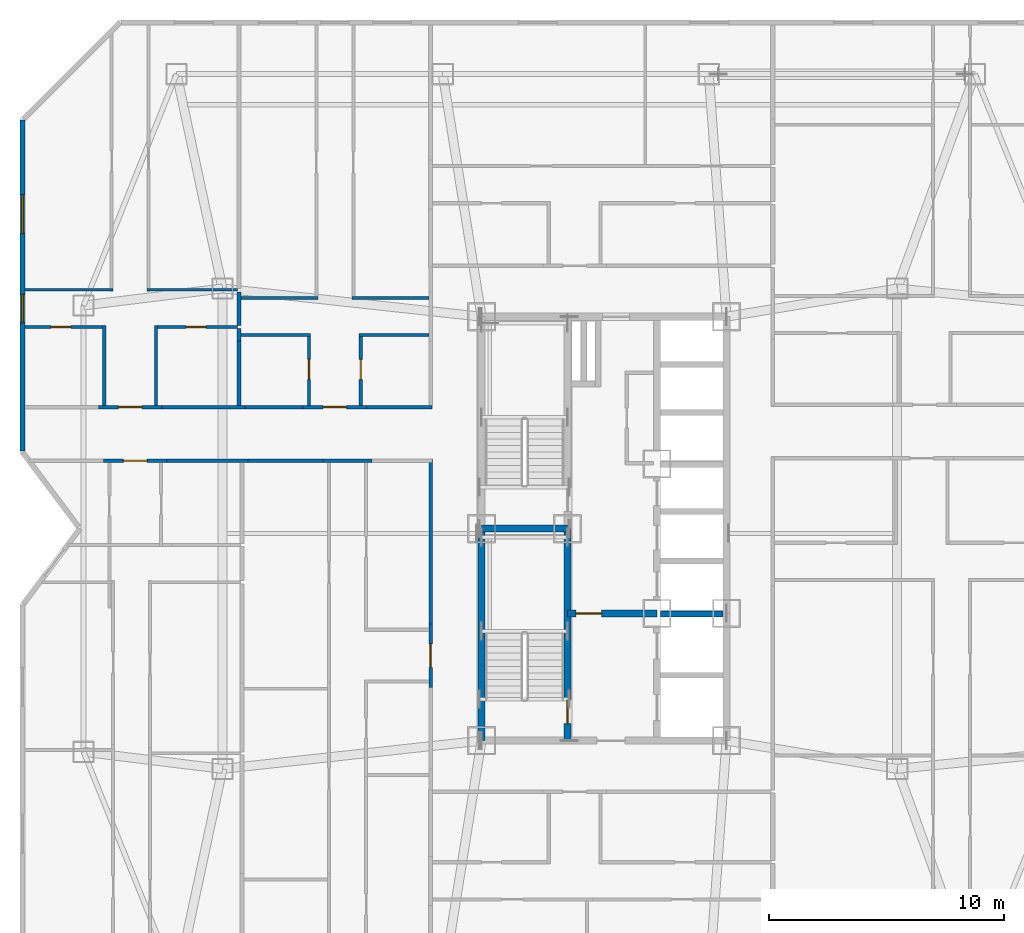
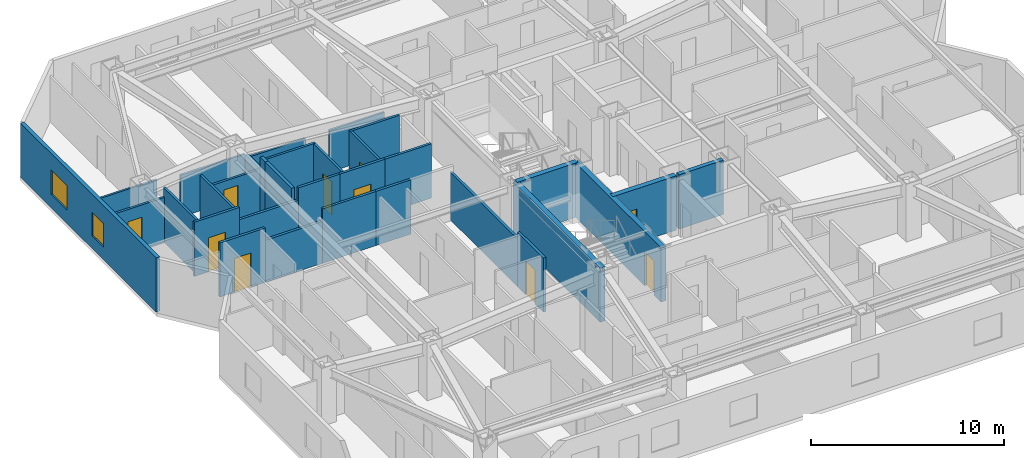
# One storey, part 7 of 12: 32 walls, 10 doors, 2 windows, 12 openings.
"""IFC4 building model written with IfcOpenShell, lengths in metres."""

from ifc_helpers import new_model, si_unit, direction, frame, frame_2d, origin, place, context, subcontext, project, spatial, rectangle, extrude, material, layer, layer_set, type_object, element, fill, save


model = new_model("IFC4")

# Units and contexts
model_context = context("Model", 3, precision=1e-05, world=origin(), true_north=direction((0.0, 1.0)))
body_context = subcontext(model_context, "Body", "Model", "MODEL_VIEW")
ifc_project = project(units=[si_unit("LENGTHUNIT", "METRE"), si_unit("AREAUNIT", "SQUARE_METRE"), si_unit("VOLUMEUNIT", "CUBIC_METRE"), si_unit("PLANEANGLEUNIT", "RADIAN"), si_unit("MASSUNIT", "GRAM", prefix="KILO")], contexts=[model_context])

# Site, building, storey
site_placement = place(None, origin())
site = spatial("IfcSite", under=ifc_project, at=site_placement, CompositionType="ELEMENT")
building_placement = place(site_placement, origin())
building = spatial("IfcBuilding", under=site, at=building_placement, Name="Khamvora Tower", CompositionType="ELEMENT")
storey_placement = place(building_placement, frame((0.0, 0.0, 138.39990234375)))
storey = spatial("IfcBuildingStorey", under=building, at=storey_placement, Name="L35", CompositionType="ELEMENT", Elevation=138.39990234375)

# Wall
ifc_material_1 = material(Name="Concrete C50/60", Category="concrete")
ifc_layer_1 = layer(ifc_material_1, 0.300048828125)
ifc_layer_set_1 = layer_set([ifc_layer_1], Name="Concrete C50/60")
wall_type_1 = type_object("IfcWallType", Name="WAL-CORE-300", PredefinedType="SHEAR", material=ifc_layer_set_1)
wall_1_placement = place(storey_placement, frame((29.0, 19.0, 0.0), z_axis=(0.0, 0.0, 1.0), x_axis=(0.0, 1.0, 0.0)))
element("IfcWall", 1, at=wall_1_placement, inside=storey, type_object=wall_type_1, Name="L35 central core west south wall", PredefinedType="SHEAR", context=body_context, shape_type="SweptSolid", body=[
    extrude(rectangle(XDim=9.0, YDim=0.300048828125, at=frame_2d((4.5, 0.0))), origin(), (0.0, 0.0, 1.0), 3.43017578125),
])

# Wall, opening, door
wall_2_placement = place(storey_placement, frame((32.64990234375, 19.0, 0.0), z_axis=(0.0, 0.0, 1.0), x_axis=(0.0, 1.0, 0.0)))
wall_2 = element("IfcWall", 2, at=wall_2_placement, inside=storey, type_object=wall_type_1, Name="L35 central core stair south spine wall", PredefinedType="SHEAR", context=body_context, shape_type="SweptSolid", body=[
    extrude(rectangle(XDim=9.0, YDim=0.300048828125, at=frame_2d((4.5, 0.0))), origin(), (0.0, 0.0, 1.0), 3.43017578125),
])
opening_1_placement = place(wall_2_placement, frame((0.719970703125, 0.0, 0.0)))
opening_1 = element("IfcOpeningElement", 3, at=opening_1_placement, cuts=wall_2, Name="Opening D-ST1", PredefinedType="OPENING", context=body_context, shape_type="SweptSolid", body=[
    extrude(rectangle(XDim=1.0, YDim=2.14990234375, at=frame_2d((0.5, 1.074951171875))), frame((0.0, 0.159912109375, 0.0), z_axis=(0.0, -1.0, 0.0), x_axis=(1.0, 0.0, 0.0)), (0.0, 0.0, 1.0), 0.320068359375),
])
ifc_material_2 = material(Name="Powder-Coated Steel and Hardwood Leaf", Category="steel")
door_type_1 = type_object("IfcDoorType", Name="DOR-STAIR-1000", OperationType="NOTDEFINED", PredefinedType="DOOR", material=ifc_material_2)
door_1_placement = place(opening_1_placement, origin())
door_1 = element("IfcDoor", 4, at=door_1_placement, inside=storey, type_object=door_type_1, Name="L35 exit stair ST-01 fire door", OperationType="SINGLE_SWING_RIGHT", OverallHeight=2.14990234375, OverallWidth=1.0, PredefinedType="DOOR", context=body_context, shape_type="SweptSolid", body=[
    extrude(rectangle(XDim=1.0, YDim=2.14990234375, at=frame_2d((0.5, 1.074951171875))), frame((0.0, 0.02490234375, 0.0), z_axis=(0.0, -1.0, 0.0), x_axis=(1.0, 0.0, 0.0)), (0.0, 0.0, 1.0), 0.050048828125),
])
fill(opening_1, door_1)

# Wall
wall_3_placement = place(storey_placement, frame((29.0, 28.0, 0.0), z_axis=(0.0, 0.0, 1.0), x_axis=(1.0, 0.0, 0.0)))
element("IfcWall", 5, at=wall_3_placement, inside=storey, type_object=wall_type_1, Name="L35 central core stair cross wall", PredefinedType="SHEAR", context=body_context, shape_type="SweptSolid", body=[
    extrude(rectangle(XDim=3.64990234375, YDim=0.300048828125, at=frame_2d((1.824951171875, 0.0))), origin(), (0.0, 0.0, 1.0), 3.43017578125),
])

# Wall, opening, door
wall_4_placement = place(storey_placement, frame((32.64990234375, 24.39990234375, 0.0), z_axis=(0.0, 0.0, 1.0), x_axis=(1.0, 0.0, 0.0)))
wall_4 = element("IfcWall", 6, at=wall_4_placement, inside=storey, type_object=wall_type_1, Name="L35 central core firefighting lobby north wall", PredefinedType="SHEAR", context=body_context, shape_type="SweptSolid", body=[
    extrude(rectangle(XDim=3.800048828125, YDim=0.300048828125, at=frame_2d((1.89990234375, 0.0))), origin(), (0.0, 0.0, 1.0), 3.43017578125),
])
opening_2_placement = place(wall_4_placement, frame((0.35009765625, 0.0, 0.0)))
opening_2 = element("IfcOpeningElement", 7, at=opening_2_placement, cuts=wall_4, Name="Opening D-FF1", PredefinedType="OPENING", context=body_context, shape_type="SweptSolid", body=[
    extrude(rectangle(XDim=1.10009765625, YDim=2.14990234375, at=frame_2d((0.550048828125, 1.074951171875))), frame((0.0, 0.159912109375, 0.0), z_axis=(0.0, -1.0, 0.0), x_axis=(1.0, 0.0, 0.0)), (0.0, 0.0, 1.0), 0.320068359375),
])
door_type_2 = type_object("IfcDoorType", Name="DOR-FFLOB-1100", OperationType="NOTDEFINED", PredefinedType="DOOR", material=ifc_material_2)
door_2_placement = place(opening_2_placement, origin())
door_2 = element("IfcDoor", 8, at=door_2_placement, inside=storey, type_object=door_type_2, Name="L35 firefighting lobby smoke-seal fire door", OperationType="SINGLE_SWING_LEFT", OverallHeight=2.14990234375, OverallWidth=1.10009765625, PredefinedType="DOOR", context=body_context, shape_type="SweptSolid", body=[
    extrude(rectangle(XDim=1.10009765625, YDim=2.14990234375, at=frame_2d((0.550048828125, 1.074951171875))), frame((0.0, 0.02490234375, 0.0), z_axis=(0.0, -1.0, 0.0), x_axis=(1.0, 0.0, 0.0)), (0.0, 0.0, 1.0), 0.050048828125),
])
fill(opening_2, door_2)

ifc_material_3 = material(Name="Fire-Rated Drywall and Steel Stud", Category="steel")
ifc_layer_2 = layer(ifc_material_3, 0.14990234375)
ifc_layer_set_2 = layer_set([ifc_layer_2], Name="Fire-Rated Drywall and Steel Stud")
wall_type_2 = type_object("IfcWallType", Name="WAL-CORR-150", PredefinedType="STANDARD", material=ifc_layer_set_2)
wall_5_placement = place(storey_placement, frame((15.64306640625, 30.885009765625, 0.0), z_axis=(0.0, 0.0, 1.0), x_axis=(-1.0, 0.0, 0.0)))
wall_5 = element("IfcWall", 9, at=wall_5_placement, inside=storey, type_object=wall_type_2, Name="L35 interior partition wall 004", PredefinedType="STANDARD", context=body_context, shape_type="SweptSolid", body=[
    extrude(rectangle(XDim=2.697998046875, YDim=0.14990234375, at=frame_2d((1.34912109375, 0.0))), origin(), (0.0, 0.0, 1.0), 3.43017578125),
])
opening_3_placement = place(wall_5_placement, frame((0.84912109375, 0.0, 0.0)))
opening_3 = element("IfcOpeningElement", 10, at=opening_3_placement, cuts=wall_5, Name="Opening D-U1", PredefinedType="OPENING", context=body_context, shape_type="SweptSolid", body=[
    extrude(rectangle(XDim=1.0, YDim=2.14990234375, at=frame_2d((0.5, 1.074951171875))), frame((0.0, 0.0849609375, 0.0), z_axis=(0.0, -1.0, 0.0), x_axis=(1.0, 0.0, 0.0)), (0.0, 0.0, 1.0), 0.169921875),
])
door_type_3 = type_object("IfcDoorType", Name="DOR-UNIT-1000", OperationType="NOTDEFINED", PredefinedType="DOOR", material=ifc_material_2)
door_3_placement = place(opening_3_placement, origin())
door_3 = element("IfcDoor", 11, at=door_3_placement, inside=storey, type_object=door_type_3, Name="L35 interior door COR-35WA1H", OperationType="SINGLE_SWING_LEFT", OverallHeight=2.14990234375, OverallWidth=1.0, PredefinedType="DOOR", context=body_context, shape_type="SweptSolid", body=[
    extrude(rectangle(XDim=1.0, YDim=2.14990234375, at=frame_2d((0.5, 1.074951171875))), frame((0.0, 0.02490234375, 0.0), z_axis=(0.0, -1.0, 0.0), x_axis=(1.0, 0.0, 0.0)), (0.0, 0.0, 1.0), 0.050048828125),
])
fill(opening_3, door_3)

# Wall
wall_6_placement = place(storey_placement, frame((19.080078125, 30.885009765625, 0.0), z_axis=(0.0, 0.0, 1.0), x_axis=(-1.0, 0.0, 0.0)))
element("IfcWall", 12, at=wall_6_placement, inside=storey, type_object=wall_type_2, Name="L35 interior partition wall 006", PredefinedType="STANDARD", context=body_context, shape_type="SweptSolid", body=[
    extrude(rectangle(XDim=3.43701171875, YDim=0.14990234375, at=frame_2d((1.718505859375, 0.0))), origin(), (0.0, 0.0, 1.0), 2.647216796875),
])

# Wall, opening, door
wall_7_placement = place(storey_placement, frame((26.8349609375, 21.260009765625, 0.0), z_axis=(0.0, 0.0, 1.0), x_axis=(0.0, 1.0, 0.0)))
wall_7 = element("IfcWall", 13, at=wall_7_placement, inside=storey, type_object=wall_type_2, Name="L35 interior partition wall 008", PredefinedType="STANDARD", context=body_context, shape_type="SweptSolid", body=[
    extrude(rectangle(XDim=2.697998046875, YDim=0.14990234375, at=frame_2d((1.34912109375, 0.0))), origin(), (0.0, 0.0, 1.0), 3.43017578125),
])
opening_4_placement = place(wall_7_placement, frame((0.84912109375, 0.0, 0.0)))
opening_4 = element("IfcOpeningElement", 14, at=opening_4_placement, cuts=wall_7, Name="Opening D-U1", PredefinedType="OPENING", context=body_context, shape_type="SweptSolid", body=[
    extrude(rectangle(XDim=1.0, YDim=2.14990234375, at=frame_2d((0.5, 1.074951171875))), frame((0.0, 0.0849609375, 0.0), z_axis=(0.0, -1.0, 0.0), x_axis=(1.0, 0.0, 0.0)), (0.0, 0.0, 1.0), 0.169921875),
])
door_4_placement = place(opening_4_placement, origin())
door_4 = element("IfcDoor", 15, at=door_4_placement, inside=storey, type_object=door_type_3, Name="L35 interior door COR-35WA2H", OperationType="SINGLE_SWING_RIGHT", OverallHeight=2.14990234375, OverallWidth=1.0, PredefinedType="DOOR", context=body_context, shape_type="SweptSolid", body=[
    extrude(rectangle(XDim=1.0, YDim=2.14990234375, at=frame_2d((0.5, 1.074951171875))), frame((0.0, 0.02490234375, 0.0), z_axis=(0.0, -1.0, 0.0), x_axis=(1.0, 0.0, 0.0)), (0.0, 0.0, 1.0), 0.050048828125),
])
fill(opening_4, door_4)

# Walls
wall_8_placement = place(storey_placement, frame((24.346923828125, 30.885009765625, 0.0), z_axis=(0.0, 0.0, 1.0), x_axis=(-1.0, 0.0, 0.0)))
element("IfcWall", 16, at=wall_8_placement, inside=storey, type_object=wall_type_2, Name="L35 interior partition wall 009", PredefinedType="STANDARD", context=body_context, shape_type="SweptSolid", body=[
    extrude(rectangle(XDim=2.078857421875, YDim=0.14990234375, at=frame_2d((1.03955078125, 0.0))), origin(), (0.0, 0.0, 1.0), 3.43017578125),
])
wall_9_placement = place(storey_placement, frame((26.8349609375, 23.9580078125, 0.0), z_axis=(0.0, 0.0, 1.0), x_axis=(0.0, 1.0, 0.0)))
element("IfcWall", 17, at=wall_9_placement, inside=storey, type_object=wall_type_2, Name="L35 interior partition wall 011", PredefinedType="STANDARD", context=body_context, shape_type="SweptSolid", body=[
    extrude(rectangle(XDim=6.991943359375, YDim=0.14990234375, at=frame_2d((3.49609375, 0.0))), origin(), (0.0, 0.0, 1.0), 3.01318359375),
])
wall_10_placement = place(storey_placement, frame((22.26806640625, 30.885009765625, 0.0), z_axis=(0.0, 0.0, 1.0), x_axis=(-1.0, 0.0, 0.0)))
element("IfcWall", 18, at=wall_10_placement, inside=storey, type_object=wall_type_2, Name="L35 interior partition wall 013", PredefinedType="STANDARD", context=body_context, shape_type="SweptSolid", body=[
    extrude(rectangle(XDim=3.18798828125, YDim=0.14990234375, at=frame_2d((1.593994140625, 0.0))), origin(), (0.0, 0.0, 1.0), 3.43017578125),
])

# Wall, opening, door
wall_11_placement = place(storey_placement, frame((12.72607421875, 33.1650390625, 0.0), z_axis=(0.0, 0.0, 1.0), x_axis=(1.0, 0.0, 0.0)))
wall_11 = element("IfcWall", 19, at=wall_11_placement, inside=storey, type_object=wall_type_2, Name="L35 interior partition wall 014", PredefinedType="STANDARD", context=body_context, shape_type="SweptSolid", body=[
    extrude(rectangle(XDim=2.697998046875, YDim=0.14990234375, at=frame_2d((1.34912109375, 0.0))), origin(), (0.0, 0.0, 1.0), 3.43017578125),
])
opening_5_placement = place(wall_11_placement, frame((0.84912109375, 0.0, 0.0)))
opening_5 = element("IfcOpeningElement", 20, at=opening_5_placement, cuts=wall_11, Name="Opening D-U1", PredefinedType="OPENING", context=body_context, shape_type="SweptSolid", body=[
    extrude(rectangle(XDim=1.0, YDim=2.14990234375, at=frame_2d((0.5, 1.074951171875))), frame((0.0, 0.0849609375, 0.0), z_axis=(0.0, -1.0, 0.0), x_axis=(1.0, 0.0, 0.0)), (0.0, 0.0, 1.0), 0.169921875),
])
door_5_placement = place(opening_5_placement, origin())
door_5 = element("IfcDoor", 21, at=door_5_placement, inside=storey, type_object=door_type_3, Name="L35 interior door COR-35WBH", OperationType="SINGLE_SWING_LEFT", OverallHeight=2.14990234375, OverallWidth=1.0, PredefinedType="DOOR", context=body_context, shape_type="SweptSolid", body=[
    extrude(rectangle(XDim=1.0, YDim=2.14990234375, at=frame_2d((0.5, 1.074951171875))), frame((0.0, 0.02490234375, 0.0), z_axis=(0.0, -1.0, 0.0), x_axis=(1.0, 0.0, 0.0)), (0.0, 0.0, 1.0), 0.050048828125),
])
fill(opening_5, door_5)

# Wall
wall_12_placement = place(storey_placement, frame((15.424072265625, 33.1650390625, 0.0), z_axis=(0.0, 0.0, 1.0), x_axis=(1.0, 0.0, 0.0)))
element("IfcWall", 22, at=wall_12_placement, inside=storey, type_object=wall_type_2, Name="L35 interior partition wall 016", PredefinedType="STANDARD", context=body_context, shape_type="SweptSolid", body=[
    extrude(rectangle(XDim=3.530029296875, YDim=0.14990234375, at=frame_2d((1.76513671875, 0.0))), origin(), (0.0, 0.0, 1.0), 2.647216796875),
])

# Wall, opening, door
wall_13_placement = place(storey_placement, frame((21.4208984375, 33.1650390625, 0.0), z_axis=(0.0, 0.0, 1.0), x_axis=(1.0, 0.0, 0.0)))
wall_13 = element("IfcWall", 23, at=wall_13_placement, inside=storey, type_object=wall_type_2, Name="L35 interior partition wall 018", PredefinedType="STANDARD", context=body_context, shape_type="SweptSolid", body=[
    extrude(rectangle(XDim=2.697998046875, YDim=0.14990234375, at=frame_2d((1.34912109375, 0.0))), origin(), (0.0, 0.0, 1.0), 3.43017578125),
])
opening_6_placement = place(wall_13_placement, frame((0.84912109375, 0.0, 0.0)))
opening_6 = element("IfcOpeningElement", 24, at=opening_6_placement, cuts=wall_13, Name="Opening D-U1", PredefinedType="OPENING", context=body_context, shape_type="SweptSolid", body=[
    extrude(rectangle(XDim=1.0, YDim=2.14990234375, at=frame_2d((0.5, 1.074951171875))), frame((0.0, 0.0849609375, 0.0), z_axis=(0.0, -1.0, 0.0), x_axis=(1.0, 0.0, 0.0)), (0.0, 0.0, 1.0), 0.169921875),
])
door_6_placement = place(opening_6_placement, origin())
door_6 = element("IfcDoor", 25, at=door_6_placement, inside=storey, type_object=door_type_3, Name="L35 interior door COR-35WCH", OperationType="SINGLE_SWING_RIGHT", OverallHeight=2.14990234375, OverallWidth=1.0, PredefinedType="DOOR", context=body_context, shape_type="SweptSolid", body=[
    extrude(rectangle(XDim=1.0, YDim=2.14990234375, at=frame_2d((0.5, 1.074951171875))), frame((0.0, 0.02490234375, 0.0), z_axis=(0.0, -1.0, 0.0), x_axis=(1.0, 0.0, 0.0)), (0.0, 0.0, 1.0), 0.050048828125),
])
fill(opening_6, door_6)

# Walls
wall_14_placement = place(storey_placement, frame((18.9541015625, 33.1650390625, 0.0), z_axis=(0.0, 0.0, 1.0), x_axis=(1.0, 0.0, 0.0)))
element("IfcWall", 26, at=wall_14_placement, inside=storey, type_object=wall_type_2, Name="L35 interior partition wall 019", PredefinedType="STANDARD", context=body_context, shape_type="SweptSolid", body=[
    extrude(rectangle(XDim=2.466796875, YDim=0.14990234375, at=frame_2d((1.2333984375, 0.0))), origin(), (0.0, 0.0, 1.0), 3.43017578125),
])
wall_15_placement = place(storey_placement, frame((24.118896484375, 33.1650390625, 0.0), z_axis=(0.0, 0.0, 1.0), x_axis=(1.0, 0.0, 0.0)))
element("IfcWall", 27, at=wall_15_placement, inside=storey, type_object=wall_type_2, Name="L35 interior partition wall 021", PredefinedType="STANDARD", context=body_context, shape_type="SweptSolid", body=[
    extrude(rectangle(XDim=2.779052734375, YDim=0.14990234375, at=frame_2d((1.3896484375, 0.0))), origin(), (0.0, 0.0, 1.0), 3.43017578125),
])
ifc_material_4 = material(Name="Acoustic Double-Stud Fire Wall", Category="gypsum")
ifc_layer_3 = layer(ifc_material_4, 0.179931640625)
ifc_layer_set_3 = layer_set([ifc_layer_3], Name="Acoustic Double-Stud Fire Wall")
wall_type_3 = type_object("IfcWallType", Name="WAL-CORR-180", PredefinedType="STANDARD", material=ifc_layer_set_3)
wall_16_placement = place(storey_placement, frame((18.705078125, 38.051025390625, 0.0), z_axis=(0.0, 0.0, 1.0), x_axis=(0.0, -1.0, 0.0)))
element("IfcWall", 28, at=wall_16_placement, inside=storey, type_object=wall_type_3, Name="L35 interior partition wall 082", PredefinedType="STANDARD", context=body_context, shape_type="SweptSolid", body=[
    extrude(rectangle(XDim=1.424072265625, YDim=0.179931640625, at=frame_2d((0.7119140625, 0.0))), origin(), (0.0, 0.0, 1.0), 2.647216796875),
])
wall_17_placement = place(storey_placement, frame((18.705078125, 36.4970703125, 0.0), z_axis=(0.0, 0.0, 1.0), x_axis=(0.0, -1.0, 0.0)))
element("IfcWall", 29, at=wall_17_placement, inside=storey, type_object=wall_type_3, Name="L35 interior partition wall 083", PredefinedType="STANDARD", context=body_context, shape_type="SweptSolid", body=[
    extrude(rectangle(XDim=0.524169921875, YDim=0.179931640625, at=frame_2d((0.26220703125, 0.0))), origin(), (0.0, 0.0, 1.0), 3.43017578125),
])
wall_18_placement = place(storey_placement, frame((18.705078125, 35.972900390625, 0.0), z_axis=(0.0, 0.0, 1.0), x_axis=(0.0, -1.0, 0.0)))
element("IfcWall", 30, at=wall_18_placement, inside=storey, type_object=wall_type_3, Name="L35 interior partition wall 084", PredefinedType="STANDARD", context=body_context, shape_type="SweptSolid", body=[
    extrude(rectangle(XDim=2.740966796875, YDim=0.179931640625, at=frame_2d((1.37060546875, 0.0))), origin(), (0.0, 0.0, 1.0), 3.43017578125),
])

# Wall, openings, windows
ifc_material_5 = material(Name="Precast concrete C40/50", Category="concrete")
ifc_layer_4 = layer(ifc_material_5, 0.219970703125)
ifc_layer_set_4 = layer_set([ifc_layer_4], Name="Precast concrete C40/50")
wall_type_4 = type_object("IfcWallType", Name="WAL-EXT-220", PredefinedType="STANDARD", material=ifc_layer_set_4)
wall_19_placement = place(storey_placement, frame((9.510009765625, 31.29296875, 0.0), z_axis=(0.0, 0.0, 1.0), x_axis=(0.0, 1.0, 0.0)))
wall_19 = element("IfcWall", 31, at=wall_19_placement, inside=storey, type_object=wall_type_4, Name="L35 exterior facade wall 05.1", PredefinedType="STANDARD", context=body_context, shape_type="SweptSolid", body=[
    extrude(rectangle(XDim=14.06103515625, YDim=0.219970703125, at=frame_2d((7.030517578125, 0.0))), origin(), (0.0, 0.0, 1.0), 3.43017578125),
])
opening_7_placement = place(wall_19_placement, frame((5.458984375, 0.0, 0.800048828125)))
opening_7 = element("IfcOpeningElement", 32, at=opening_7_placement, cuts=wall_19, Name="Opening WN-03", PredefinedType="OPENING", context=body_context, shape_type="SweptSolid", body=[
    extrude(rectangle(XDim=1.199951171875, YDim=1.5, at=frame_2d((0.60009765625, 0.75))), frame((0.0, 0.119873046875, 0.0), z_axis=(0.0, -1.0, 0.0), x_axis=(1.0, 0.0, 0.0)), (0.0, 0.0, 1.0), 0.239990234375),
])
opening_8_placement = place(wall_19_placement, frame((9.237060546875, 0.0, 0.85009765625)))
opening_8 = element("IfcOpeningElement", 33, at=opening_8_placement, cuts=wall_19, Name="Opening WN-06", PredefinedType="OPENING", context=body_context, shape_type="SweptSolid", body=[
    extrude(rectangle(XDim=1.64990234375, YDim=1.550048828125, at=frame_2d((0.824951171875, 0.77490234375))), frame((0.0, 0.119873046875, 0.0), z_axis=(0.0, -1.0, 0.0), x_axis=(1.0, 0.0, 0.0)), (0.0, 0.0, 1.0), 0.239990234375),
])
ifc_material_6 = material(Name="Low-E Laminated Double Glazing", Category="glass")
window_type_1 = type_object("IfcWindowType", Name="WIN-VIS-1200x1500", PartitioningType="SINGLE_PANEL", PredefinedType="WINDOW", material=ifc_material_6)
window_1_placement = place(opening_7_placement, origin())
window_1 = element("IfcWindow", 34, at=window_1_placement, inside=storey, type_object=window_type_1, Name="L35 vision window 05.1.01", OverallHeight=1.5, OverallWidth=1.199951171875, PartitioningType="SINGLE_PANEL", PredefinedType="WINDOW", context=body_context, shape_type="SweptSolid", body=[
    extrude(rectangle(XDim=1.199951171875, YDim=1.5, at=frame_2d((0.60009765625, 0.75))), frame((0.0, 0.030029296875, 0.0), z_axis=(0.0, -1.0, 0.0), x_axis=(1.0, 0.0, 0.0)), (0.0, 0.0, 1.0), 0.06005859375),
])
fill(opening_7, window_1)
window_type_2 = type_object("IfcWindowType", Name="WIN-VIS-1650x1550", PartitioningType="SINGLE_PANEL", PredefinedType="WINDOW", material=ifc_material_6)
window_2_placement = place(opening_8_placement, origin())
window_2 = element("IfcWindow", 35, at=window_2_placement, inside=storey, type_object=window_type_2, Name="L35 vision window 05.1.02", OverallHeight=1.550048828125, OverallWidth=1.64990234375, PartitioningType="SINGLE_PANEL", PredefinedType="WINDOW", context=body_context, shape_type="SweptSolid", body=[
    extrude(rectangle(XDim=1.64990234375, YDim=1.550048828125, at=frame_2d((0.824951171875, 0.77490234375))), frame((0.0, 0.030029296875, 0.0), z_axis=(0.0, -1.0, 0.0), x_axis=(1.0, 0.0, 0.0)), (0.0, 0.0, 1.0), 0.06005859375),
])
fill(opening_8, window_2)

# Walls
ifc_material_7 = material(Name="Gypsum Plasterboard Partition", Category="gypsum")
ifc_layer_5 = layer(ifc_material_7, 0.1201171875)
ifc_layer_set_5 = layer_set([ifc_layer_5], Name="Gypsum Plasterboard Partition")
wall_type_5 = type_object("IfcWallType", Name="WAL-PART-120", PredefinedType="PARTITIONING", material=ifc_layer_set_5)
wall_20_placement = place(storey_placement, frame((9.612060546875, 38.14208984375, 0.0), z_axis=(0.0, 0.0, 1.0), x_axis=(1.0, 0.0, 0.0)))
element("IfcWall", 36, at=wall_20_placement, inside=storey, type_object=wall_type_5, Name="L35 interior partition wall 078", PredefinedType="PARTITIONING", context=body_context, shape_type="SweptSolid", body=[
    extrude(rectangle(XDim=3.742919921875, YDim=0.1201171875, at=frame_2d((1.87158203125, 0.0))), origin(), (0.0, 0.0, 1.0), 2.8759765625),
])
wall_21_placement = place(storey_placement, frame((14.794921875, 38.14208984375, 0.0), z_axis=(0.0, 0.0, 1.0), x_axis=(1.0, 0.0, 0.0)))
element("IfcWall", 37, at=wall_21_placement, inside=storey, type_object=wall_type_5, Name="L35 interior partition wall 081", PredefinedType="PARTITIONING", context=body_context, shape_type="SweptSolid", body=[
    extrude(rectangle(XDim=3.844970703125, YDim=0.1201171875, at=frame_2d((1.92236328125, 0.0))), origin(), (0.0, 0.0, 1.0), 2.647216796875),
])
wall_22_placement = place(storey_placement, frame((18.787109375, 37.802001953125, 0.0), z_axis=(0.0, 0.0, 1.0), x_axis=(1.0, 0.0, 0.0)))
element("IfcWall", 38, at=wall_22_placement, inside=storey, type_object=wall_type_5, Name="L35 interior partition wall 090", PredefinedType="PARTITIONING", context=body_context, shape_type="SweptSolid", body=[
    extrude(rectangle(XDim=3.262939453125, YDim=0.1201171875, at=frame_2d((1.63134765625, 0.0))), origin(), (0.0, 0.0, 1.0), 2.647216796875),
])
wall_23_placement = place(storey_placement, frame((23.489990234375, 37.802001953125, 0.0), z_axis=(0.0, 0.0, 1.0), x_axis=(1.0, 0.0, 0.0)))
element("IfcWall", 39, at=wall_23_placement, inside=storey, type_object=wall_type_5, Name="L35 interior partition wall 093", PredefinedType="PARTITIONING", context=body_context, shape_type="SweptSolid", body=[
    extrude(rectangle(XDim=3.280029296875, YDim=0.1201171875, at=frame_2d((1.64013671875, 0.0))), origin(), (0.0, 0.0, 1.0), 2.647216796875),
])
ifc_material_8 = material(Name="Concrete C40/50", Category="concrete")
ifc_layer_6 = layer(ifc_material_8, 0.25)
ifc_layer_set_6 = layer_set([ifc_layer_6], Name="Concrete C40/50")
wall_type_6 = type_object("IfcWallType", Name="WAL-PODS-250", PredefinedType="SHEAR", material=ifc_layer_set_6)
wall_24_placement = place(storey_placement, frame((36.60400390625, 24.375, 0.0), z_axis=(0.0, 0.0, 1.0), x_axis=(1.0, 0.0, 0.0)))
element("IfcWall", 40, at=wall_24_placement, inside=storey, type_object=wall_type_6, Name="L35 lift shaft divider wall FFL-02", PredefinedType="SHEAR", context=body_context, shape_type="SweptSolid", body=[
    extrude(rectangle(XDim=2.64208984375, YDim=0.25, at=frame_2d((1.321044921875, 0.0))), origin(), (0.0, 0.0, 1.0), 3.43017578125),
])
ifc_material_9 = material(Name="Moisture-Resistant Plasterboard Partition", Category="gypsum")
ifc_layer_7 = layer(ifc_material_9, 0.135009765625)
ifc_layer_set_7 = layer_set([ifc_layer_7], Name="Moisture-Resistant Plasterboard Partition")
wall_type_7 = type_object("IfcWallType", Name="WAL-WET-135", PredefinedType="PARTITIONING", material=ifc_layer_set_7)
wall_25_placement = place(storey_placement, frame((12.97509765625, 33.23193359375, 0.0), z_axis=(0.0, 0.0, 1.0), x_axis=(0.0, 1.0, 0.0)))
element("IfcWall", 41, at=wall_25_placement, inside=storey, type_object=wall_type_7, Name="L35 interior partition wall 074", PredefinedType="PARTITIONING", context=body_context, shape_type="SweptSolid", body=[
    extrude(rectangle(XDim=3.39501953125, YDim=0.135009765625, at=frame_2d((1.697509765625, 0.0))), origin(), (0.0, 0.0, 1.0), 3.43017578125),
])

# Wall, opening, door
wall_26_placement = place(storey_placement, frame((13.0400390625, 36.56201171875, 0.0), z_axis=(0.0, 0.0, 1.0), x_axis=(-1.0, 0.0, 0.0)))
wall_26 = element("IfcWall", 42, at=wall_26_placement, inside=storey, type_object=wall_type_7, Name="L35 interior partition wall 075", PredefinedType="PARTITIONING", context=body_context, shape_type="SweptSolid", body=[
    extrude(rectangle(XDim=3.427978515625, YDim=0.135009765625, at=frame_2d((1.7138671875, 0.0))), origin(), (0.0, 0.0, 1.0), 2.8759765625),
])
opening_9_placement = place(wall_26_placement, frame((1.47705078125, 0.0, 0.0)))
opening_9 = element("IfcOpeningElement", 43, at=opening_9_placement, cuts=wall_26, Name="Opening D-WC1", PredefinedType="OPENING", context=body_context, shape_type="SweptSolid", body=[
    extrude(rectangle(XDim=0.85009765625, YDim=2.10009765625, at=frame_2d((0.425048828125, 1.050048828125))), frame((0.0, 0.077392578125, 0.0), z_axis=(0.0, -1.0, 0.0), x_axis=(1.0, 0.0, 0.0)), (0.0, 0.0, 1.0), 0.155029296875),
])
door_type_4 = type_object("IfcDoorType", Name="DOR-WET-850", OperationType="NOTDEFINED", PredefinedType="DOOR", material=ifc_material_2)
door_7_placement = place(opening_9_placement, origin())
door_7 = element("IfcDoor", 44, at=door_7_placement, inside=storey, type_object=door_type_4, Name="L35 interior door 35WBH-35WBB", OperationType="SINGLE_SWING_RIGHT", OverallHeight=2.10009765625, OverallWidth=0.85009765625, PredefinedType="DOOR", context=body_context, shape_type="SweptSolid", body=[
    extrude(rectangle(XDim=0.85009765625, YDim=2.10009765625, at=frame_2d((0.425048828125, 1.050048828125))), frame((0.0, 0.02490234375, 0.0), z_axis=(0.0, -1.0, 0.0), x_axis=(1.0, 0.0, 0.0)), (0.0, 0.0, 1.0), 0.050048828125),
])
fill(opening_9, door_7)

wall_27_placement = place(storey_placement, frame((18.639892578125, 36.56201171875, 0.0), z_axis=(0.0, 0.0, 1.0), x_axis=(-1.0, 0.0, 0.0)))
wall_27 = element("IfcWall", 45, at=wall_27_placement, inside=storey, type_object=wall_type_7, Name="L35 interior partition wall 076", PredefinedType="PARTITIONING", context=body_context, shape_type="SweptSolid", body=[
    extrude(rectangle(XDim=3.52978515625, YDim=0.135009765625, at=frame_2d((1.764892578125, 0.0))), origin(), (0.0, 0.0, 1.0), 2.647216796875),
])
opening_10_placement = place(wall_27_placement, frame((1.340087890625, 0.0, 0.0)))
opening_10 = element("IfcOpeningElement", 46, at=opening_10_placement, cuts=wall_27, Name="Opening D-RM2", PredefinedType="OPENING", context=body_context, shape_type="SweptSolid", body=[
    extrude(rectangle(XDim=0.85009765625, YDim=2.10009765625, at=frame_2d((0.425048828125, 1.050048828125))), frame((0.0, 0.077392578125, 0.0), z_axis=(0.0, -1.0, 0.0), x_axis=(1.0, 0.0, 0.0)), (0.0, 0.0, 1.0), 0.155029296875),
])
door_type_5 = type_object("IfcDoorType", Name="DOR-ROOM-850", OperationType="NOTDEFINED", PredefinedType="DOOR", material=ifc_material_2)
door_8_placement = place(opening_10_placement, origin())
door_8 = element("IfcDoor", 47, at=door_8_placement, inside=storey, type_object=door_type_5, Name="L35 interior door 35WBH-35WBK", OperationType="SINGLE_SWING_RIGHT", OverallHeight=2.10009765625, OverallWidth=0.85009765625, PredefinedType="DOOR", context=body_context, shape_type="SweptSolid", body=[
    extrude(rectangle(XDim=0.85009765625, YDim=2.10009765625, at=frame_2d((0.425048828125, 1.050048828125))), frame((0.0, 0.02490234375, 0.0), z_axis=(0.0, -1.0, 0.0), x_axis=(1.0, 0.0, 0.0)), (0.0, 0.0, 1.0), 0.050048828125),
])
fill(opening_10, door_8)

# Wall
wall_28_placement = place(storey_placement, frame((15.175048828125, 36.626953125, 0.0), z_axis=(0.0, 0.0, 1.0), x_axis=(0.0, -1.0, 0.0)))
element("IfcWall", 48, at=wall_28_placement, inside=storey, type_object=wall_type_7, Name="L35 interior partition wall 077", PredefinedType="PARTITIONING", context=body_context, shape_type="SweptSolid", body=[
    extrude(rectangle(XDim=3.39501953125, YDim=0.135009765625, at=frame_2d((1.697509765625, 0.0))), origin(), (0.0, 0.0, 1.0), 3.43017578125),
])

# Wall, opening, door
wall_29_placement = place(storey_placement, frame((21.669921875, 33.23193359375, 0.0), z_axis=(0.0, 0.0, 1.0), x_axis=(0.0, 1.0, 0.0)))
wall_29 = element("IfcWall", 49, at=wall_29_placement, inside=storey, type_object=wall_type_7, Name="L35 interior partition wall 086", PredefinedType="PARTITIONING", context=body_context, shape_type="SweptSolid", body=[
    extrude(rectangle(XDim=3.05517578125, YDim=0.135009765625, at=frame_2d((1.527587890625, 0.0))), origin(), (0.0, 0.0, 1.0), 3.43017578125),
])
opening_11_placement = place(wall_29_placement, frame((1.10302734375, 0.0, 0.0)))
opening_11 = element("IfcOpeningElement", 50, at=opening_11_placement, cuts=wall_29, Name="Opening D-WC1", PredefinedType="OPENING", context=body_context, shape_type="SweptSolid", body=[
    extrude(rectangle(XDim=0.85009765625, YDim=2.10009765625, at=frame_2d((0.425048828125, 1.050048828125))), frame((0.0, 0.077392578125, 0.0), z_axis=(0.0, -1.0, 0.0), x_axis=(1.0, 0.0, 0.0)), (0.0, 0.0, 1.0), 0.155029296875),
])
door_9_placement = place(opening_11_placement, origin())
door_9 = element("IfcDoor", 51, at=door_9_placement, inside=storey, type_object=door_type_4, Name="L35 interior door 35WCH-35WCB", OperationType="SINGLE_SWING_LEFT", OverallHeight=2.10009765625, OverallWidth=0.85009765625, PredefinedType="DOOR", context=body_context, shape_type="SweptSolid", body=[
    extrude(rectangle(XDim=0.85009765625, YDim=2.10009765625, at=frame_2d((0.425048828125, 1.050048828125))), frame((0.0, 0.02490234375, 0.0), z_axis=(0.0, -1.0, 0.0), x_axis=(1.0, 0.0, 0.0)), (0.0, 0.0, 1.0), 0.050048828125),
])
fill(opening_11, door_9)

# Walls
wall_30_placement = place(storey_placement, frame((21.735107421875, 36.221923828125, 0.0), z_axis=(0.0, 0.0, 1.0), x_axis=(-1.0, 0.0, 0.0)))
element("IfcWall", 52, at=wall_30_placement, inside=storey, type_object=wall_type_7, Name="L35 interior partition wall 087", PredefinedType="PARTITIONING", context=body_context, shape_type="SweptSolid", body=[
    extrude(rectangle(XDim=2.947998046875, YDim=0.135009765625, at=frame_2d((1.47412109375, 0.0))), origin(), (0.0, 0.0, 1.0), 3.43017578125),
])
wall_31_placement = place(storey_placement, frame((26.77001953125, 36.221923828125, 0.0), z_axis=(0.0, 0.0, 1.0), x_axis=(-1.0, 0.0, 0.0)))
element("IfcWall", 53, at=wall_31_placement, inside=storey, type_object=wall_type_7, Name="L35 interior partition wall 088", PredefinedType="PARTITIONING", context=body_context, shape_type="SweptSolid", body=[
    extrude(rectangle(XDim=2.965087890625, YDim=0.135009765625, at=frame_2d((1.482421875, 0.0))), origin(), (0.0, 0.0, 1.0), 3.43017578125),
])

# Wall, opening, door
wall_32_placement = place(storey_placement, frame((23.8701171875, 36.287109375, 0.0), z_axis=(0.0, 0.0, 1.0), x_axis=(0.0, -1.0, 0.0)))
wall_32 = element("IfcWall", 54, at=wall_32_placement, inside=storey, type_object=wall_type_7, Name="L35 interior partition wall 089", PredefinedType="PARTITIONING", context=body_context, shape_type="SweptSolid", body=[
    extrude(rectangle(XDim=3.05517578125, YDim=0.135009765625, at=frame_2d((1.527587890625, 0.0))), origin(), (0.0, 0.0, 1.0), 3.43017578125),
])
opening_12_placement = place(wall_32_placement, frame((1.10302734375, 0.0, 0.0)))
opening_12 = element("IfcOpeningElement", 55, at=opening_12_placement, cuts=wall_32, Name="Opening D-RM2", PredefinedType="OPENING", context=body_context, shape_type="SweptSolid", body=[
    extrude(rectangle(XDim=0.85009765625, YDim=2.10009765625, at=frame_2d((0.425048828125, 1.050048828125))), frame((0.0, 0.077392578125, 0.0), z_axis=(0.0, -1.0, 0.0), x_axis=(1.0, 0.0, 0.0)), (0.0, 0.0, 1.0), 0.155029296875),
])
door_10_placement = place(opening_12_placement, origin())
door_10 = element("IfcDoor", 56, at=door_10_placement, inside=storey, type_object=door_type_5, Name="L35 interior door 35WCH-35WCK", OperationType="SINGLE_SWING_RIGHT", OverallHeight=2.10009765625, OverallWidth=0.85009765625, PredefinedType="DOOR", context=body_context, shape_type="SweptSolid", body=[
    extrude(rectangle(XDim=0.85009765625, YDim=2.10009765625, at=frame_2d((0.425048828125, 1.050048828125))), frame((0.0, 0.02490234375, 0.0), z_axis=(0.0, -1.0, 0.0), x_axis=(1.0, 0.0, 0.0)), (0.0, 0.0, 1.0), 0.050048828125),
])
fill(opening_12, door_10)

save(model, "model.ifc")
